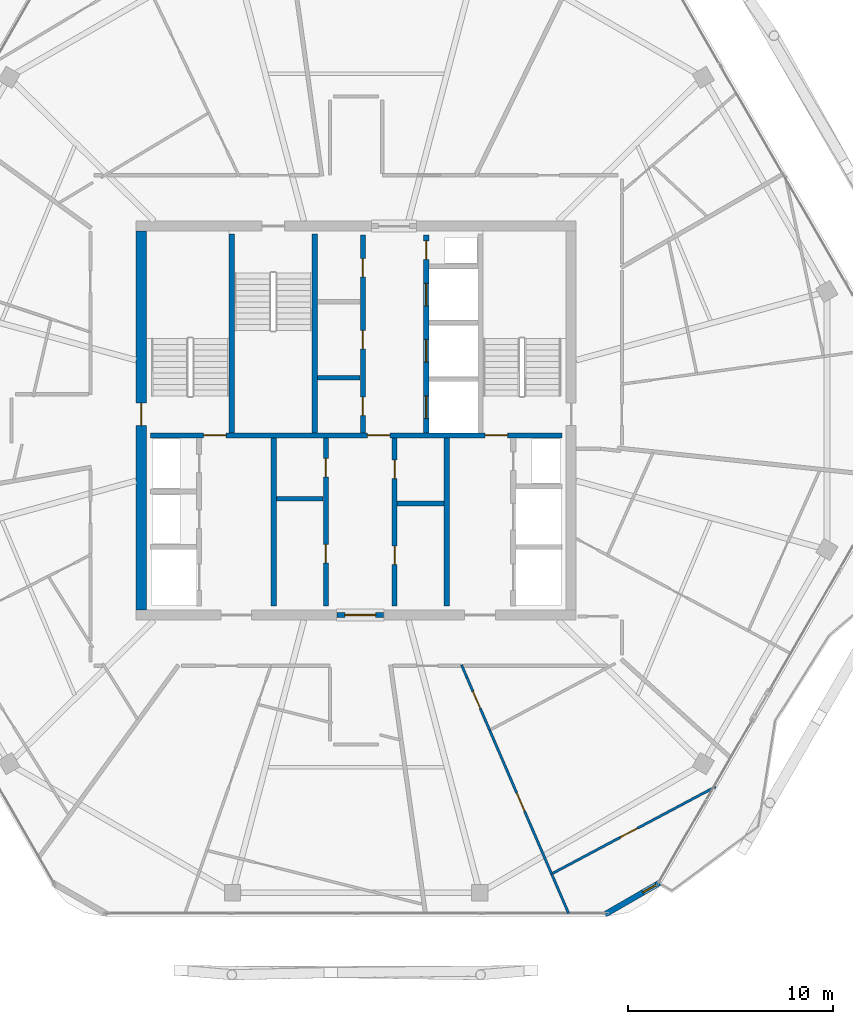
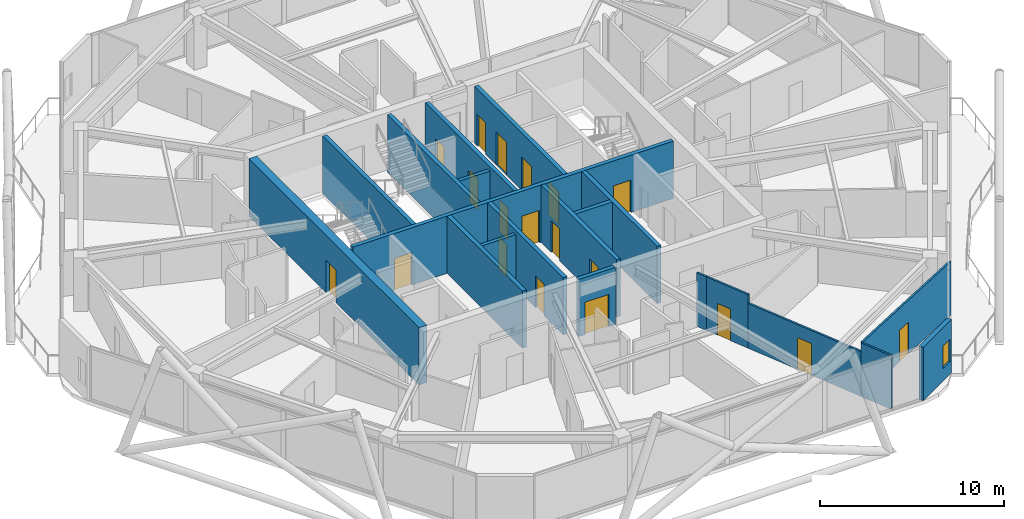
# One storey, part 17 of 23: 20 walls, 19 doors, 1 window, 20 openings.
"""IFC4 building model written with IfcOpenShell, lengths in metres."""

from ifc_helpers import new_model, si_unit, direction, frame, frame_2d, origin, place, context, subcontext, project, spatial, rectangle, extrude, material, layer, layer_set, type_object, element, fill, save


model = new_model("IFC4")

# Units and contexts
model_context = context("Model", 3, precision=1e-05, world=origin(), true_north=direction((0.0, 1.0)))
body_context = subcontext(model_context, "Body", "Model", "MODEL_VIEW")
ifc_project = project(units=[si_unit("LENGTHUNIT", "METRE"), si_unit("AREAUNIT", "SQUARE_METRE"), si_unit("VOLUMEUNIT", "CUBIC_METRE"), si_unit("PLANEANGLEUNIT", "RADIAN"), si_unit("MASSUNIT", "GRAM", prefix="KILO")], contexts=[model_context])

# Site, building, storey
site_placement = place(None, origin())
site = spatial("IfcSite", under=ifc_project, at=site_placement, CompositionType="ELEMENT")
building_placement = place(site_placement, origin())
building = spatial("IfcBuilding", under=site, at=building_placement, Name="Zuhravey Tower", CompositionType="ELEMENT")
storey_placement = place(building_placement, frame((0.0, 0.0, 315.800048828125)))
storey = spatial("IfcBuildingStorey", under=building, at=storey_placement, Name="L80", CompositionType="ELEMENT", Elevation=315.800048828125)

# Wall, opening, door
ifc_material_1 = material(Name="Concrete C50/60", Category="concrete")
ifc_layer_1 = layer(ifc_material_1, 0.5)
ifc_layer_set_1 = layer_set([ifc_layer_1], Name="Concrete C50/60")
wall_type_1 = type_object("IfcWallType", Name="Core Shear Wall 500", PredefinedType="SHEAR", material=ifc_layer_set_1)
wall_1_placement = place(storey_placement, frame((25.5, 22.75, 0.0), z_axis=(0.0, 0.0, 1.0), x_axis=(0.0, 1.0, 0.0)))
wall_1 = element("IfcWall", 1, at=wall_1_placement, inside=storey, type_object=wall_type_1, Name="L80 West Core Shear Wall CW50", PredefinedType="SHEAR", context=body_context, shape_type="SweptSolid", body=[
    extrude(rectangle(XDim=18.5, YDim=0.5, at=frame_2d((9.25, 0.0))), origin(), (0.0, 0.0, 1.0), 3.800048828125),
])
opening_1_placement = place(wall_1_placement, frame((9.0, 0.0, 0.0)))
opening_1 = element("IfcOpeningElement", 2, at=opening_1_placement, cuts=wall_1, Name="Opening STD1", PredefinedType="OPENING", context=body_context, shape_type="SweptSolid", body=[
    extrude(rectangle(XDim=1.10009765625, YDim=2.14990234375, at=frame_2d((0.550048828125, 1.074951171875))), frame((0.0, 0.261962890625, 0.0), z_axis=(0.0, -1.0, 0.0), x_axis=(1.0, 0.0, 0.0)), (0.0, 0.0, 1.0), 0.52392578125),
])
ifc_material_2 = material(Name="Galvanised fire-rated steel leaf", Category="steel")
door_type_1 = type_object("IfcDoorType", Name="Protected Stair Fire Door 1100x2150", OperationType="NOTDEFINED", PredefinedType="USERDEFINED", material=ifc_material_2)
door_1_placement = place(opening_1_placement, frame((1.10009765625, 0.0, 0.0), z_axis=(0.0, 0.0, 1.0), x_axis=(-1.0, 0.0, 0.0)))
door_1 = element("IfcDoor", 3, at=door_1_placement, inside=storey, type_object=door_type_1, Name="L80 Stair ST1 Door", ObjectType="EXITDOOR", OperationType="SINGLE_SWING_RIGHT", OverallHeight=2.14990234375, OverallWidth=1.10009765625, PredefinedType="USERDEFINED", context=body_context, shape_type="SweptSolid", body=[
    extrude(rectangle(XDim=1.10009765625, YDim=2.14990234375, at=frame_2d((0.550048828125, 1.074951171875))), frame((0.0, 0.02490234375, 0.0), z_axis=(0.0, -1.0, 0.0), x_axis=(1.0, 0.0, 0.0)), (0.0, 0.0, 1.0), 0.050048828125),
])
fill(opening_1, door_1)

# Wall, opening, window
ifc_material_3 = material(Name="Precast concrete C40/50", Category="concrete")
ifc_layer_2 = layer(ifc_material_3, 0.280029296875)
ifc_layer_set_2 = layer_set([ifc_layer_2], Name="Precast concrete C40/50")
wall_type_2 = type_object("IfcWallType", Name="Crown Architectural Wall 280", PredefinedType="SOLIDWALL", material=ifc_layer_set_2)
wall_2_placement = place(storey_placement, frame((50.811279296875, 9.410888671875, 0.0), z_axis=(0.0, 0.0, 1.0), x_axis=(-0.866023752521, -0.50000286006, 0.0)))
wall_2 = element("IfcWall", 4, at=wall_2_placement, inside=storey, type_object=wall_type_2, Name="L80 Rounded Corner Closure Wall EW28-02", PredefinedType="SOLIDWALL", context=body_context, shape_type="SweptSolid", body=[
    extrude(rectangle(XDim=3.06494140625, YDim=0.280029296875, at=frame_2d((1.532470703125, 0.0))), origin(), (0.0, 0.0, 1.0), 3.550048828125),
])
opening_2_placement = place(wall_2_placement, frame((0.1728515625, 0.0, 0.85009765625)))
opening_2 = element("IfcOpeningElement", 5, at=opening_2_placement, cuts=wall_2, Name="Opening WN5", PredefinedType="OPENING", context=body_context, shape_type="SweptSolid", body=[
    extrude(rectangle(XDim=0.75, YDim=1.5, at=frame_2d((0.375, 0.75))), frame((0.0, 0.152099609375, 0.0), z_axis=(0.0, -1.0, 0.0), x_axis=(1.0, 0.0, 0.0)), (0.0, 0.0, 1.0), 0.303955078125),
])
ifc_material_4 = material(Name="Thermally broken aluminium and triple low-E glass", Category="aluminium")
window_type = type_object("IfcWindowType", Name="Residential Corner Casement Window 750x1500", PartitioningType="SINGLE_PANEL", PredefinedType="WINDOW", material=ifc_material_4)
window_placement = place(opening_2_placement, origin())
window = element("IfcWindow", 6, at=window_placement, inside=storey, type_object=window_type, Name="L80 Corner Casement Window WN5-02.1", OverallHeight=1.5, OverallWidth=0.75, PartitioningType="SINGLE_PANEL", PredefinedType="WINDOW", context=body_context, shape_type="SweptSolid", body=[
    extrude(rectangle(XDim=0.75, YDim=1.5, at=frame_2d((0.375, 0.75))), frame((0.0, 0.030029296875, 0.0), z_axis=(0.0, -1.0, 0.0), x_axis=(1.0, 0.0, 0.0)), (0.0, 0.0, 1.0), 0.06005859375),
])
fill(opening_2, window)

# Wall, opening, door
ifc_layer_3 = layer(ifc_material_1, 0.25)
ifc_layer_set_3 = layer_set([ifc_layer_3], Name="Concrete C50/60")
wall_type_3 = type_object("IfcWallType", Name="Firefighting Shaft & Stair Wall 250", PredefinedType="SOLIDWALL", material=ifc_layer_set_3)
wall_3_placement = place(storey_placement, frame((35.06005859375, 22.5, 0.0), z_axis=(0.0, 0.0, 1.0), x_axis=(1.0, 0.0, 0.0)))
wall_3 = element("IfcWall", 7, at=wall_3_placement, inside=storey, type_object=wall_type_3, Name="L80 FW25 Shaft Wall 001", PredefinedType="SOLIDWALL", context=body_context, shape_type="SweptSolid", body=[
    extrude(rectangle(XDim=2.280029296875, YDim=0.25, at=frame_2d((1.14013671875, 0.0))), origin(), (0.0, 0.0, 1.0), 3.800048828125),
])
opening_3_placement = place(wall_3_placement, frame((0.389892578125, 0.0, 0.0)))
opening_3 = element("IfcOpeningElement", 8, at=opening_3_placement, cuts=wall_3, Name="Opening FFD1", PredefinedType="OPENING", context=body_context, shape_type="SweptSolid", body=[
    extrude(rectangle(XDim=1.5, YDim=2.14990234375, at=frame_2d((0.75, 1.074951171875))), frame((0.0, 0.136962890625, 0.0), z_axis=(0.0, -1.0, 0.0), x_axis=(1.0, 0.0, 0.0)), (0.0, 0.0, 1.0), 0.27392578125),
])
door_type_2 = type_object("IfcDoorType", Name="Firefighting Lobby Double Door 1500x2150", OperationType="DOUBLE_DOOR_SINGLE_SWING", PredefinedType="DOOR", material=ifc_material_2)
door_2_placement = place(opening_3_placement, frame((1.5, 0.0, 0.0), z_axis=(0.0, 0.0, 1.0), x_axis=(-1.0, 0.0, 0.0)))
door_2 = element("IfcDoor", 9, at=door_2_placement, inside=storey, type_object=door_type_2, Name="L80 South Lift Lobby Exit Door", OperationType="DOUBLE_DOOR_SINGLE_SWING", OverallHeight=2.14990234375, OverallWidth=1.5, PredefinedType="DOOR", context=body_context, shape_type="SweptSolid", body=[
    extrude(rectangle(XDim=1.5, YDim=2.14990234375, at=frame_2d((0.75, 1.074951171875))), frame((0.0, 0.02490234375, 0.0), z_axis=(0.0, -1.0, 0.0), x_axis=(1.0, 0.0, 0.0)), (0.0, 0.0, 1.0), 0.050048828125),
])
fill(opening_3, door_2)

# Wall, openings, doors
wall_4_placement = place(storey_placement, frame((25.949951171875, 31.27490234375, 0.0), z_axis=(0.0, 0.0, 1.0), x_axis=(1.0, 0.0, 0.0)))
wall_4 = element("IfcWall", 10, at=wall_4_placement, inside=storey, type_object=wall_type_3, Name="L80 FW25 Shaft Wall 003", PredefinedType="SOLIDWALL", context=body_context, shape_type="SweptSolid", body=[
    extrude(rectangle(XDim=20.10009765625, YDim=0.25, at=frame_2d((10.050048828125, 0.0))), origin(), (0.0, 0.0, 1.0), 3.800048828125),
])
opening_4_placement = place(wall_4_placement, frame((2.60009765625, 0.0, 0.0)))
opening_4 = element("IfcOpeningElement", 11, at=opening_4_placement, cuts=wall_4, Name="Opening STD1", PredefinedType="OPENING", context=body_context, shape_type="SweptSolid", body=[
    extrude(rectangle(XDim=1.10009765625, YDim=2.14990234375, at=frame_2d((0.550048828125, 1.074951171875))), frame((0.0, 0.136962890625, 0.0), z_axis=(0.0, -1.0, 0.0), x_axis=(1.0, 0.0, 0.0)), (0.0, 0.0, 1.0), 0.27392578125),
])
opening_5_placement = place(wall_4_placement, frame((10.60009765625, 0.0, 0.0)))
opening_5 = element("IfcOpeningElement", 12, at=opening_5_placement, cuts=wall_4, Name="Opening STD1", PredefinedType="OPENING", context=body_context, shape_type="SweptSolid", body=[
    extrude(rectangle(XDim=1.10009765625, YDim=2.14990234375, at=frame_2d((0.550048828125, 1.074951171875))), frame((0.0, 0.136962890625, 0.0), z_axis=(0.0, -1.0, 0.0), x_axis=(1.0, 0.0, 0.0)), (0.0, 0.0, 1.0), 0.27392578125),
])
opening_6_placement = place(wall_4_placement, frame((16.35009765625, 0.0, 0.0)))
opening_6 = element("IfcOpeningElement", 13, at=opening_6_placement, cuts=wall_4, Name="Opening STD1", PredefinedType="OPENING", context=body_context, shape_type="SweptSolid", body=[
    extrude(rectangle(XDim=1.10009765625, YDim=2.14990234375, at=frame_2d((0.550048828125, 1.074951171875))), frame((0.0, 0.136962890625, 0.0), z_axis=(0.0, -1.0, 0.0), x_axis=(1.0, 0.0, 0.0)), (0.0, 0.0, 1.0), 0.27392578125),
])
door_3_placement = place(opening_4_placement, origin())
door_3 = element("IfcDoor", 14, at=door_3_placement, inside=storey, type_object=door_type_1, Name="L80 FFL-W to ST1 Door", ObjectType="EXITDOOR", OperationType="SINGLE_SWING_LEFT", OverallHeight=2.14990234375, OverallWidth=1.10009765625, PredefinedType="USERDEFINED", context=body_context, shape_type="SweptSolid", body=[
    extrude(rectangle(XDim=1.10009765625, YDim=2.14990234375, at=frame_2d((0.550048828125, 1.074951171875))), frame((0.0, 0.02490234375, 0.0), z_axis=(0.0, -1.0, 0.0), x_axis=(1.0, 0.0, 0.0)), (0.0, 0.0, 1.0), 0.050048828125),
])
fill(opening_4, door_3)
door_4_placement = place(opening_5_placement, origin())
door_4 = element("IfcDoor", 15, at=door_4_placement, inside=storey, type_object=door_type_1, Name="L80 Core Lobby Link Door", ObjectType="EXITDOOR", OperationType="SINGLE_SWING_RIGHT", OverallHeight=2.14990234375, OverallWidth=1.10009765625, PredefinedType="USERDEFINED", context=body_context, shape_type="SweptSolid", body=[
    extrude(rectangle(XDim=1.10009765625, YDim=2.14990234375, at=frame_2d((0.550048828125, 1.074951171875))), frame((0.0, 0.02490234375, 0.0), z_axis=(0.0, -1.0, 0.0), x_axis=(1.0, 0.0, 0.0)), (0.0, 0.0, 1.0), 0.050048828125),
])
fill(opening_5, door_4)
door_5_placement = place(opening_6_placement, origin())
door_5 = element("IfcDoor", 16, at=door_5_placement, inside=storey, type_object=door_type_1, Name="L80 FFL-E to ST2 Door", ObjectType="EXITDOOR", OperationType="SINGLE_SWING_LEFT", OverallHeight=2.14990234375, OverallWidth=1.10009765625, PredefinedType="USERDEFINED", context=body_context, shape_type="SweptSolid", body=[
    extrude(rectangle(XDim=1.10009765625, YDim=2.14990234375, at=frame_2d((0.550048828125, 1.074951171875))), frame((0.0, 0.02490234375, 0.0), z_axis=(0.0, -1.0, 0.0), x_axis=(1.0, 0.0, 0.0)), (0.0, 0.0, 1.0), 0.050048828125),
])
fill(opening_6, door_5)

# Walls
for number, where, z_axis, x_axis, name in (
    (17, (29.925048828125, 31.39990234375, 0.0), (0.0, 0.0, 1.0), (0.0, 1.0, 0.0), "L80 FW25 Shaft Wall 004"),
    (18, (33.97509765625, 31.39990234375, 0.0), (0.0, 0.0, 1.0), (0.0, 1.0, 0.0), "L80 FW25 Shaft Wall 005"),
):
    element("IfcWall", number, at=place(storey_placement, frame(where, z_axis=z_axis, x_axis=x_axis)), inside=storey, type_object=wall_type_3, Name=name, PredefinedType="SOLIDWALL", context=body_context, shape_type="SweptSolid", body=[
        extrude(rectangle(XDim=9.7001953125, YDim=0.25, at=frame_2d((4.85009765625, 0.0))), origin(), (0.0, 0.0, 1.0), 3.800048828125),
    ])

# Wall, openings, doors
wall_5_placement = place(storey_placement, frame((36.324951171875, 31.39990234375, 0.0), z_axis=(0.0, 0.0, 1.0), x_axis=(0.0, 1.0, 0.0)))
wall_5 = element("IfcWall", 19, at=wall_5_placement, inside=storey, type_object=wall_type_3, Name="L80 FW25 Shaft Wall 007", PredefinedType="SOLIDWALL", context=body_context, shape_type="SweptSolid", body=[
    extrude(rectangle(XDim=9.650146484375, YDim=0.25, at=frame_2d((4.8251953125, 0.0))), origin(), (0.0, 0.0, 1.0), 3.800048828125),
])
opening_7_placement = place(wall_5_placement, frame((0.840087890625, 0.0, 0.0)))
opening_7 = element("IfcOpeningElement", 20, at=opening_7_placement, cuts=wall_5, Name="Opening RSD1", PredefinedType="OPENING", context=body_context, shape_type="SweptSolid", body=[
    extrude(rectangle(XDim=0.89990234375, YDim=2.10009765625, at=frame_2d((0.449951171875, 1.050048828125))), frame((0.0, 0.136962890625, 0.0), z_axis=(0.0, -1.0, 0.0), x_axis=(1.0, 0.0, 0.0)), (0.0, 0.0, 1.0), 0.27392578125),
])
opening_8_placement = place(wall_5_placement, frame((4.10009765625, 0.0, 0.0)))
opening_8 = element("IfcOpeningElement", 21, at=opening_8_placement, cuts=wall_5, Name="Opening RSD1", PredefinedType="OPENING", context=body_context, shape_type="SweptSolid", body=[
    extrude(rectangle(XDim=0.89990234375, YDim=2.10009765625, at=frame_2d((0.449951171875, 1.050048828125))), frame((0.0, 0.136962890625, 0.0), z_axis=(0.0, -1.0, 0.0), x_axis=(1.0, 0.0, 0.0)), (0.0, 0.0, 1.0), 0.27392578125),
])
opening_9_placement = place(wall_5_placement, frame((7.610107421875, 0.0, 0.0)))
opening_9 = element("IfcOpeningElement", 22, at=opening_9_placement, cuts=wall_5, Name="Opening RSD1", PredefinedType="OPENING", context=body_context, shape_type="SweptSolid", body=[
    extrude(rectangle(XDim=0.89990234375, YDim=2.10009765625, at=frame_2d((0.449951171875, 1.050048828125))), frame((0.0, 0.136962890625, 0.0), z_axis=(0.0, -1.0, 0.0), x_axis=(1.0, 0.0, 0.0)), (0.0, 0.0, 1.0), 0.27392578125),
])
ifc_material_5 = material(Name="Galvanised fire-rated steel access leaf", Category="steel")
door_type_3 = type_object("IfcDoorType", Name="Riser & Shaft Access Fire Door 900x2100", OperationType="NOTDEFINED", PredefinedType="DOOR", material=ifc_material_5)
door_6_placement = place(opening_7_placement, origin())
door_6 = element("IfcDoor", 23, at=door_6_placement, inside=storey, type_object=door_type_3, Name="L80 Core Staff WC Door", OperationType="SINGLE_SWING_RIGHT", OverallHeight=2.10009765625, OverallWidth=0.89990234375, PredefinedType="DOOR", context=body_context, shape_type="SweptSolid", body=[
    extrude(rectangle(XDim=0.89990234375, YDim=2.10009765625, at=frame_2d((0.449951171875, 1.050048828125))), frame((0.0, 0.02490234375, 0.0), z_axis=(0.0, -1.0, 0.0), x_axis=(1.0, 0.0, 0.0)), (0.0, 0.0, 1.0), 0.050048828125),
])
fill(opening_7, door_6)
door_7_placement = place(opening_8_placement, origin())
door_7 = element("IfcDoor", 24, at=door_7_placement, inside=storey, type_object=door_type_3, Name="L80 IT and Comms Room Door", OperationType="SINGLE_SWING_LEFT", OverallHeight=2.10009765625, OverallWidth=0.89990234375, PredefinedType="DOOR", context=body_context, shape_type="SweptSolid", body=[
    extrude(rectangle(XDim=0.89990234375, YDim=2.10009765625, at=frame_2d((0.449951171875, 1.050048828125))), frame((0.0, 0.02490234375, 0.0), z_axis=(0.0, -1.0, 0.0), x_axis=(1.0, 0.0, 0.0)), (0.0, 0.0, 1.0), 0.050048828125),
])
fill(opening_8, door_7)
door_8_placement = place(opening_9_placement, origin())
door_8 = element("IfcDoor", 25, at=door_8_placement, inside=storey, type_object=door_type_3, Name="L80 Janitor Linen Store Door", OperationType="SINGLE_SWING_RIGHT", OverallHeight=2.10009765625, OverallWidth=0.89990234375, PredefinedType="DOOR", context=body_context, shape_type="SweptSolid", body=[
    extrude(rectangle(XDim=0.89990234375, YDim=2.10009765625, at=frame_2d((0.449951171875, 1.050048828125))), frame((0.0, 0.02490234375, 0.0), z_axis=(0.0, -1.0, 0.0), x_axis=(1.0, 0.0, 0.0)), (0.0, 0.0, 1.0), 0.050048828125),
])
fill(opening_9, door_8)

wall_6_placement = place(storey_placement, frame((39.425048828125, 31.39990234375, 0.0), z_axis=(0.0, 0.0, 1.0), x_axis=(0.0, 1.0, 0.0)))
wall_6 = element("IfcWall", 26, at=wall_6_placement, inside=storey, type_object=wall_type_3, Name="L80 FW25 Shaft Wall 008", PredefinedType="SOLIDWALL", context=body_context, shape_type="SweptSolid", body=[
    extrude(rectangle(XDim=9.650146484375, YDim=0.25, at=frame_2d((4.8251953125, 0.0))), origin(), (0.0, 0.0, 1.0), 3.800048828125),
])
opening_10_placement = place(wall_6_placement, frame((0.699951171875, 0.0, 0.0)))
opening_10 = element("IfcOpeningElement", 27, at=opening_10_placement, cuts=wall_6, Name="Opening LD1", PredefinedType="OPENING", context=body_context, shape_type="SweptSolid", body=[
    extrude(rectangle(XDim=1.10009765625, YDim=2.199951171875, at=frame_2d((0.550048828125, 1.10009765625))), frame((0.0, 0.136962890625, 0.0), z_axis=(0.0, -1.0, 0.0), x_axis=(1.0, 0.0, 0.0)), (0.0, 0.0, 1.0), 0.27392578125),
])
opening_11_placement = place(wall_6_placement, frame((3.449951171875, 0.0, 0.0)))
opening_11 = element("IfcOpeningElement", 28, at=opening_11_placement, cuts=wall_6, Name="Opening LD1", PredefinedType="OPENING", context=body_context, shape_type="SweptSolid", body=[
    extrude(rectangle(XDim=1.10009765625, YDim=2.199951171875, at=frame_2d((0.550048828125, 1.10009765625))), frame((0.0, 0.136962890625, 0.0), z_axis=(0.0, -1.0, 0.0), x_axis=(1.0, 0.0, 0.0)), (0.0, 0.0, 1.0), 0.27392578125),
])
opening_12_placement = place(wall_6_placement, frame((6.199951171875, 0.0, 0.0)))
opening_12 = element("IfcOpeningElement", 29, at=opening_12_placement, cuts=wall_6, Name="Opening LD1", PredefinedType="OPENING", context=body_context, shape_type="SweptSolid", body=[
    extrude(rectangle(XDim=1.10009765625, YDim=2.199951171875, at=frame_2d((0.550048828125, 1.10009765625))), frame((0.0, 0.136962890625, 0.0), z_axis=(0.0, -1.0, 0.0), x_axis=(1.0, 0.0, 0.0)), (0.0, 0.0, 1.0), 0.27392578125),
])
opening_13_placement = place(wall_6_placement, frame((8.469970703125, 0.0, 0.0)))
opening_13 = element("IfcOpeningElement", 30, at=opening_13_placement, cuts=wall_6, Name="Opening RSD1", PredefinedType="OPENING", context=body_context, shape_type="SweptSolid", body=[
    extrude(rectangle(XDim=0.89990234375, YDim=2.10009765625, at=frame_2d((0.449951171875, 1.050048828125))), frame((0.0, 0.136962890625, 0.0), z_axis=(0.0, -1.0, 0.0), x_axis=(1.0, 0.0, 0.0)), (0.0, 0.0, 1.0), 0.27392578125),
])
ifc_material_6 = material(Name="Brushed stainless steel", Category="steel")
door_type_4 = type_object("IfcDoorType", Name="Lift Landing Sliding Door 1100x2200", OperationType="DOUBLE_DOOR_SLIDING", PredefinedType="DOOR", material=ifc_material_6)
door_9_placement = place(opening_10_placement, origin())
door_9 = element("IfcDoor", 31, at=door_9_placement, inside=storey, type_object=door_type_4, Name="L80 Lift PL7 Landing Door", OperationType="DOUBLE_DOOR_SLIDING", OverallHeight=2.199951171875, OverallWidth=1.10009765625, PredefinedType="DOOR", context=body_context, shape_type="SweptSolid", body=[
    extrude(rectangle(XDim=1.10009765625, YDim=2.199951171875, at=frame_2d((0.550048828125, 1.10009765625))), frame((0.0, 0.02490234375, 0.0), z_axis=(0.0, -1.0, 0.0), x_axis=(1.0, 0.0, 0.0)), (0.0, 0.0, 1.0), 0.050048828125),
])
fill(opening_10, door_9)
door_10_placement = place(opening_11_placement, origin())
door_10 = element("IfcDoor", 32, at=door_10_placement, inside=storey, type_object=door_type_4, Name="L80 Lift PL8 Landing Door", OperationType="DOUBLE_DOOR_SLIDING", OverallHeight=2.199951171875, OverallWidth=1.10009765625, PredefinedType="DOOR", context=body_context, shape_type="SweptSolid", body=[
    extrude(rectangle(XDim=1.10009765625, YDim=2.199951171875, at=frame_2d((0.550048828125, 1.10009765625))), frame((0.0, 0.02490234375, 0.0), z_axis=(0.0, -1.0, 0.0), x_axis=(1.0, 0.0, 0.0)), (0.0, 0.0, 1.0), 0.050048828125),
])
fill(opening_11, door_10)
door_11_placement = place(opening_12_placement, origin())
door_11 = element("IfcDoor", 33, at=door_11_placement, inside=storey, type_object=door_type_4, Name="L80 Lift PL9 Landing Door", OperationType="DOUBLE_DOOR_SLIDING", OverallHeight=2.199951171875, OverallWidth=1.10009765625, PredefinedType="DOOR", context=body_context, shape_type="SweptSolid", body=[
    extrude(rectangle(XDim=1.10009765625, YDim=2.199951171875, at=frame_2d((0.550048828125, 1.10009765625))), frame((0.0, 0.02490234375, 0.0), z_axis=(0.0, -1.0, 0.0), x_axis=(1.0, 0.0, 0.0)), (0.0, 0.0, 1.0), 0.050048828125),
])
fill(opening_12, door_11)
door_12_placement = place(opening_13_placement, origin())
door_12 = element("IfcDoor", 34, at=door_12_placement, inside=storey, type_object=door_type_3, Name="L80 North Riser Door", OperationType="SINGLE_SWING_LEFT", OverallHeight=2.10009765625, OverallWidth=0.89990234375, PredefinedType="DOOR", context=body_context, shape_type="SweptSolid", body=[
    extrude(rectangle(XDim=0.89990234375, YDim=2.10009765625, at=frame_2d((0.449951171875, 1.050048828125))), frame((0.0, 0.02490234375, 0.0), z_axis=(0.0, -1.0, 0.0), x_axis=(1.0, 0.0, 0.0)), (0.0, 0.0, 1.0), 0.050048828125),
])
fill(opening_13, door_12)

# Wall
wall_7_placement = place(storey_placement, frame((31.97509765625, 22.949951171875, 0.0), z_axis=(0.0, 0.0, 1.0), x_axis=(0.0, 1.0, 0.0)))
element("IfcWall", 35, at=wall_7_placement, inside=storey, type_object=wall_type_3, Name="L80 FW25 Shaft Wall 012", PredefinedType="SOLIDWALL", context=body_context, shape_type="SweptSolid", body=[
    extrude(rectangle(XDim=8.199951171875, YDim=0.25, at=frame_2d((4.10009765625, 0.0))), origin(), (0.0, 0.0, 1.0), 3.800048828125),
])

# Wall, openings, doors
wall_8_placement = place(storey_placement, frame((34.52490234375, 22.949951171875, 0.0), z_axis=(0.0, 0.0, 1.0), x_axis=(0.0, 1.0, 0.0)))
wall_8 = element("IfcWall", 36, at=wall_8_placement, inside=storey, type_object=wall_type_3, Name="L80 FW25 Shaft Wall 013", PredefinedType="SOLIDWALL", context=body_context, shape_type="SweptSolid", body=[
    extrude(rectangle(XDim=8.199951171875, YDim=0.25, at=frame_2d((4.10009765625, 0.0))), origin(), (0.0, 0.0, 1.0), 3.800048828125),
])
opening_14_placement = place(wall_8_placement, frame((2.10009765625, 0.0, 0.0)))
opening_14 = element("IfcOpeningElement", 37, at=opening_14_placement, cuts=wall_8, Name="Opening RSD1", PredefinedType="OPENING", context=body_context, shape_type="SweptSolid", body=[
    extrude(rectangle(XDim=0.89990234375, YDim=2.10009765625, at=frame_2d((0.449951171875, 1.050048828125))), frame((0.0, 0.136962890625, 0.0), z_axis=(0.0, -1.0, 0.0), x_axis=(1.0, 0.0, 0.0)), (0.0, 0.0, 1.0), 0.27392578125),
])
opening_15_placement = place(wall_8_placement, frame((6.300048828125, 0.0, 0.0)))
opening_15 = element("IfcOpeningElement", 38, at=opening_15_placement, cuts=wall_8, Name="Opening RSD1", PredefinedType="OPENING", context=body_context, shape_type="SweptSolid", body=[
    extrude(rectangle(XDim=0.89990234375, YDim=2.10009765625, at=frame_2d((0.449951171875, 1.050048828125))), frame((0.0, 0.136962890625, 0.0), z_axis=(0.0, -1.0, 0.0), x_axis=(1.0, 0.0, 0.0)), (0.0, 0.0, 1.0), 0.27392578125),
])
door_13_placement = place(opening_14_placement, origin())
door_13 = element("IfcDoor", 39, at=door_13_placement, inside=storey, type_object=door_type_3, Name="L80 Housekeeping Store Door", OperationType="SINGLE_SWING_RIGHT", OverallHeight=2.10009765625, OverallWidth=0.89990234375, PredefinedType="DOOR", context=body_context, shape_type="SweptSolid", body=[
    extrude(rectangle(XDim=0.89990234375, YDim=2.10009765625, at=frame_2d((0.449951171875, 1.050048828125))), frame((0.0, 0.02490234375, 0.0), z_axis=(0.0, -1.0, 0.0), x_axis=(1.0, 0.0, 0.0)), (0.0, 0.0, 1.0), 0.050048828125),
])
fill(opening_14, door_13)
door_14_placement = place(opening_15_placement, origin())
door_14 = element("IfcDoor", 40, at=door_14_placement, inside=storey, type_object=door_type_3, Name="L80 Comms Closet Door", OperationType="SINGLE_SWING_LEFT", OverallHeight=2.10009765625, OverallWidth=0.89990234375, PredefinedType="DOOR", context=body_context, shape_type="SweptSolid", body=[
    extrude(rectangle(XDim=0.89990234375, YDim=2.10009765625, at=frame_2d((0.449951171875, 1.050048828125))), frame((0.0, 0.02490234375, 0.0), z_axis=(0.0, -1.0, 0.0), x_axis=(1.0, 0.0, 0.0)), (0.0, 0.0, 1.0), 0.050048828125),
])
fill(opening_15, door_14)

# Wall
wall_9_placement = place(storey_placement, frame((38.0, 27.949951171875, 0.0), z_axis=(0.0, 0.0, 1.0), x_axis=(1.0, 0.0, 0.0)))
element("IfcWall", 41, at=wall_9_placement, inside=storey, type_object=wall_type_3, Name="L80 FW25 Shaft Wall 014", PredefinedType="SOLIDWALL", context=body_context, shape_type="SweptSolid", body=[
    extrude(rectangle(XDim=2.300048828125, YDim=0.25, at=frame_2d((1.14990234375, 0.0))), origin(), (0.0, 0.0, 1.0), 3.800048828125),
])

# Wall, openings, doors
wall_10_placement = place(storey_placement, frame((37.875, 22.949951171875, 0.0), z_axis=(0.0, 0.0, 1.0), x_axis=(0.0, 1.0, 0.0)))
wall_10 = element("IfcWall", 42, at=wall_10_placement, inside=storey, type_object=wall_type_3, Name="L80 FW25 Shaft Wall 015", PredefinedType="SOLIDWALL", context=body_context, shape_type="SweptSolid", body=[
    extrude(rectangle(XDim=8.199951171875, YDim=0.25, at=frame_2d((4.10009765625, 0.0))), origin(), (0.0, 0.0, 1.0), 3.800048828125),
])
opening_16_placement = place(wall_10_placement, frame((2.012451171875, 0.0, 0.0)))
opening_16 = element("IfcOpeningElement", 43, at=opening_16_placement, cuts=wall_10, Name="Opening RSD1", PredefinedType="OPENING", context=body_context, shape_type="SweptSolid", body=[
    extrude(rectangle(XDim=0.89990234375, YDim=2.10009765625, at=frame_2d((0.449951171875, 1.050048828125))), frame((0.0, 0.136962890625, 0.0), z_axis=(0.0, -1.0, 0.0), x_axis=(1.0, 0.0, 0.0)), (0.0, 0.0, 1.0), 0.27392578125),
])
opening_17_placement = place(wall_10_placement, frame((6.21240234375, 0.0, 0.0)))
opening_17 = element("IfcOpeningElement", 44, at=opening_17_placement, cuts=wall_10, Name="Opening RSD1", PredefinedType="OPENING", context=body_context, shape_type="SweptSolid", body=[
    extrude(rectangle(XDim=0.89990234375, YDim=2.10009765625, at=frame_2d((0.449951171875, 1.050048828125))), frame((0.0, 0.136962890625, 0.0), z_axis=(0.0, -1.0, 0.0), x_axis=(1.0, 0.0, 0.0)), (0.0, 0.0, 1.0), 0.27392578125),
])
door_15_placement = place(opening_16_placement, frame((0.89990234375, 0.0, 0.0), z_axis=(0.0, 0.0, 1.0), x_axis=(-1.0, 0.0, 0.0)))
door_15 = element("IfcDoor", 45, at=door_15_placement, inside=storey, type_object=door_type_3, Name="L80 Trunk Store Door", OperationType="SINGLE_SWING_RIGHT", OverallHeight=2.10009765625, OverallWidth=0.89990234375, PredefinedType="DOOR", context=body_context, shape_type="SweptSolid", body=[
    extrude(rectangle(XDim=0.89990234375, YDim=2.10009765625, at=frame_2d((0.449951171875, 1.050048828125))), frame((0.0, 0.02490234375, 0.0), z_axis=(0.0, -1.0, 0.0), x_axis=(1.0, 0.0, 0.0)), (0.0, 0.0, 1.0), 0.050048828125),
])
fill(opening_16, door_15)
door_16_placement = place(opening_17_placement, frame((0.89990234375, 0.0, 0.0), z_axis=(0.0, 0.0, 1.0), x_axis=(-1.0, 0.0, 0.0)))
door_16 = element("IfcDoor", 46, at=door_16_placement, inside=storey, type_object=door_type_3, Name="L80 Fiber Room Door", OperationType="SINGLE_SWING_LEFT", OverallHeight=2.10009765625, OverallWidth=0.89990234375, PredefinedType="DOOR", context=body_context, shape_type="SweptSolid", body=[
    extrude(rectangle(XDim=0.89990234375, YDim=2.10009765625, at=frame_2d((0.449951171875, 1.050048828125))), frame((0.0, 0.02490234375, 0.0), z_axis=(0.0, -1.0, 0.0), x_axis=(1.0, 0.0, 0.0)), (0.0, 0.0, 1.0), 0.050048828125),
])
fill(opening_17, door_16)

# Walls
wall_11_placement = place(storey_placement, frame((40.425048828125, 22.949951171875, 0.0), z_axis=(0.0, 0.0, 1.0), x_axis=(0.0, 1.0, 0.0)))
element("IfcWall", 47, at=wall_11_placement, inside=storey, type_object=wall_type_3, Name="L80 FW25 Shaft Wall 016", PredefinedType="SOLIDWALL", context=body_context, shape_type="SweptSolid", body=[
    extrude(rectangle(XDim=8.199951171875, YDim=0.25, at=frame_2d((4.10009765625, 0.0))), origin(), (0.0, 0.0, 1.0), 3.800048828125),
])
ifc_material_7 = material(Name="Gypsum acoustic stud assembly")
ifc_layer_4 = layer(ifc_material_7, 0.219970703125)
ifc_layer_set_4 = layer_set([ifc_layer_4], Name="Gypsum acoustic stud assembly")
wall_type_4 = type_object("IfcWallType", Name="School Acoustic Compartment Wall 220", PredefinedType="PARTITIONING", material=ifc_layer_set_4)
wall_12_placement = place(storey_placement, frame((34.10791015625, 34.10009765625, 0.0), z_axis=(0.0, 0.0, 1.0), x_axis=(1.0, 0.0, 0.0)))
element("IfcWall", 48, at=wall_12_placement, inside=storey, type_object=wall_type_4, Name="L80 IW22 Partition 052", PredefinedType="PARTITIONING", context=body_context, shape_type="SweptSolid", body=[
    extrude(rectangle(XDim=2.083984375, YDim=0.219970703125, at=frame_2d((1.0419921875, 0.0))), origin(), (0.0, 0.0, 1.0), 3.550048828125),
])
wall_13_placement = place(storey_placement, frame((32.10791015625, 28.175048828125, 0.0), z_axis=(0.0, 0.0, 1.0), x_axis=(1.0, 0.0, 0.0)))
element("IfcWall", 49, at=wall_13_placement, inside=storey, type_object=wall_type_4, Name="L80 IW22 Partition 057", PredefinedType="PARTITIONING", context=body_context, shape_type="SweptSolid", body=[
    extrude(rectangle(XDim=2.2841796875, YDim=0.219970703125, at=frame_2d((1.14208984375, 0.0))), origin(), (0.0, 0.0, 1.0), 3.550048828125),
])

# Wall, opening, door
ifc_material_8 = material(Name="Gypsum metal-stud partition")
ifc_layer_5 = layer(ifc_material_8, 0.1201171875)
ifc_layer_set_5 = layer_set([ifc_layer_5], Name="Gypsum metal-stud partition")
wall_type_5 = type_object("IfcWallType", Name="Unit Internal Partition 120", PredefinedType="PARTITIONING", material=ifc_layer_set_5)
wall_14_placement = place(storey_placement, frame((41.41015625, 19.449951171875, 0.0), z_axis=(0.0, 0.0, 1.0), x_axis=(0.395844398044, -0.918317598948, 0.0)))
wall_14 = element("IfcWall", 50, at=wall_14_placement, inside=storey, type_object=wall_type_5, Name="L80 IW12 Partition 036", PredefinedType="PARTITIONING", context=body_context, shape_type="SweptSolid", body=[
    extrude(rectangle(XDim=2.830322265625, YDim=0.1201171875, at=frame_2d((1.4150390625, 0.0))), origin(), (0.0, 0.0, 1.0), 3.550048828125),
])
opening_18_placement = place(wall_14_placement, frame((0.73876953125, 0.0, 0.0)))
opening_18 = element("IfcOpeningElement", 51, at=opening_18_placement, cuts=wall_14, Name="Opening WCD1", PredefinedType="OPENING", context=body_context, shape_type="SweptSolid", body=[
    extrude(rectangle(XDim=0.89990234375, YDim=2.10009765625, at=frame_2d((0.449951171875, 1.050048828125))), frame((0.0, 0.072021484375, 0.0), z_axis=(0.0, -1.0, 0.0), x_axis=(1.0, 0.0, 0.0)), (0.0, 0.0, 1.0), 0.14404296875),
])
ifc_material_9 = material(Name="Moisture-resistant timber leaf", Category="wood")
door_type_5 = type_object("IfcDoorType", Name="Bathroom & WC Internal Door 900x2100", OperationType="NOTDEFINED", PredefinedType="DOOR", material=ifc_material_9)
door_17_placement = place(opening_18_placement, origin())
door_17 = element("IfcDoor", 52, at=door_17_placement, inside=storey, type_object=door_type_5, Name="Apartment L80-05 Bathroom Door", OperationType="SINGLE_SWING_LEFT", OverallHeight=2.10009765625, OverallWidth=0.89990234375, PredefinedType="DOOR", context=body_context, shape_type="SweptSolid", body=[
    extrude(rectangle(XDim=0.89990234375, YDim=2.10009765625, at=frame_2d((0.449951171875, 1.050048828125))), frame((0.0, 0.02490234375, 0.0), z_axis=(0.0, -1.0, 0.0), x_axis=(1.0, 0.0, 0.0)), (0.0, 0.0, 1.0), 0.050048828125),
])
fill(opening_18, door_17)

wall_15_placement = place(storey_placement, frame((42.530517578125, 16.850830078125, 0.0), z_axis=(0.0, 0.0, 1.0), x_axis=(0.39587300587, -0.918305266904, 0.0)))
wall_15 = element("IfcWall", 53, at=wall_15_placement, inside=storey, type_object=wall_type_5, Name="L80 IW12 Partition 037", PredefinedType="PARTITIONING", context=body_context, shape_type="SweptSolid", body=[
    extrude(rectangle(XDim=7.642822265625, YDim=0.1201171875, at=frame_2d((3.8212890625, 0.0))), origin(), (0.0, 0.0, 1.0), 2.969970703125),
])
opening_19_placement = place(wall_15_placement, frame((3.321533203125, 0.0, 0.0)))
opening_19 = element("IfcOpeningElement", 54, at=opening_19_placement, cuts=wall_15, Name="Opening IND1", PredefinedType="OPENING", context=body_context, shape_type="SweptSolid", body=[
    extrude(rectangle(XDim=0.949951171875, YDim=2.10009765625, at=frame_2d((0.47509765625, 1.050048828125))), frame((0.0, 0.072021484375, 0.0), z_axis=(0.0, -1.0, 0.0), x_axis=(1.0, 0.0, 0.0)), (0.0, 0.0, 1.0), 0.14404296875),
])
ifc_material_10 = material(Name="Painted engineered timber leaf", Category="wood")
door_type_6 = type_object("IfcDoorType", Name="Internal Room & Bedroom Door 950x2100", OperationType="NOTDEFINED", PredefinedType="DOOR", material=ifc_material_10)
door_18_placement = place(opening_19_placement, origin())
door_18 = element("IfcDoor", 55, at=door_18_placement, inside=storey, type_object=door_type_6, Name="Apartment L80-05 Home Office Door", OperationType="SINGLE_SWING_RIGHT", OverallHeight=2.10009765625, OverallWidth=0.949951171875, PredefinedType="DOOR", context=body_context, shape_type="SweptSolid", body=[
    extrude(rectangle(XDim=0.949951171875, YDim=2.10009765625, at=frame_2d((0.47509765625, 1.050048828125))), frame((0.0, 0.02490234375, 0.0), z_axis=(0.0, -1.0, 0.0), x_axis=(1.0, 0.0, 0.0)), (0.0, 0.0, 1.0), 0.050048828125),
])
fill(opening_19, door_18)

wall_16_placement = place(storey_placement, frame((45.606689453125, 9.88720703125, 0.0), z_axis=(0.0, 0.0, 1.0), x_axis=(0.882942125216, 0.469481845782, 0.0)))
wall_16 = element("IfcWall", 56, at=wall_16_placement, inside=storey, type_object=wall_type_5, Name="L80 IW12 Partition 038", PredefinedType="PARTITIONING", context=body_context, shape_type="SweptSolid", body=[
    extrude(rectangle(XDim=9.0166015625, YDim=0.1201171875, at=frame_2d((4.50830078125, 0.0))), origin(), (0.0, 0.0, 1.0), 3.550048828125),
])
opening_20_placement = place(wall_16_placement, frame((3.72900390625, 0.0, 0.0)))
opening_20 = element("IfcOpeningElement", 57, at=opening_20_placement, cuts=wall_16, Name="Opening IND1", PredefinedType="OPENING", context=body_context, shape_type="SweptSolid", body=[
    extrude(rectangle(XDim=0.949951171875, YDim=2.10009765625, at=frame_2d((0.47509765625, 1.050048828125))), frame((0.0, 0.072021484375, 0.0), z_axis=(0.0, -1.0, 0.0), x_axis=(1.0, 0.0, 0.0)), (0.0, 0.0, 1.0), 0.14404296875),
])
door_19_placement = place(opening_20_placement, frame((0.949951171875, 0.0, 0.0), z_axis=(0.0, 0.0, 1.0), x_axis=(-1.0, 0.0, 0.0)))
door_19 = element("IfcDoor", 58, at=door_19_placement, inside=storey, type_object=door_type_6, Name="Apartment L80-05 Bedroom 1 Door", OperationType="SINGLE_SWING_LEFT", OverallHeight=2.10009765625, OverallWidth=0.949951171875, PredefinedType="DOOR", context=body_context, shape_type="SweptSolid", body=[
    extrude(rectangle(XDim=0.949951171875, YDim=2.10009765625, at=frame_2d((0.47509765625, 1.050048828125))), frame((0.0, 0.02490234375, 0.0), z_axis=(0.0, -1.0, 0.0), x_axis=(1.0, 0.0, 0.0)), (0.0, 0.0, 1.0), 0.050048828125),
])
fill(opening_20, door_19)

# Walls
wall_17_placement = place(storey_placement, frame((41.14599609375, 20.06298828125, 0.0), z_axis=(0.0, 0.0, 1.0), x_axis=(0.395728306554, -0.918367631938, 0.0)))
element("IfcWall", 59, at=wall_17_placement, inside=storey, type_object=wall_type_5, Name="L80 IW12 Partition 080", PredefinedType="PARTITIONING", context=body_context, shape_type="SweptSolid", body=[
    extrude(rectangle(XDim=0.66748046875, YDim=0.1201171875, at=frame_2d((0.333740234375, 0.0))), origin(), (0.0, 0.0, 1.0), 3.550048828125),
])
wall_18_placement = place(storey_placement, frame((45.55615234375, 9.832275390625, 0.0), z_axis=(0.0, 0.0, 1.0), x_axis=(0.39587198398, -0.918305707431, 0.0)))
element("IfcWall", 60, at=wall_18_placement, inside=storey, type_object=wall_type_5, Name="L80 IW12 Partition 081", PredefinedType="PARTITIONING", context=body_context, shape_type="SweptSolid", body=[
    extrude(rectangle(XDim=2.081298828125, YDim=0.1201171875, at=frame_2d((1.04052734375, 0.0))), origin(), (0.0, 0.0, 1.0), 3.550048828125),
])

save(model, "model.ifc")
